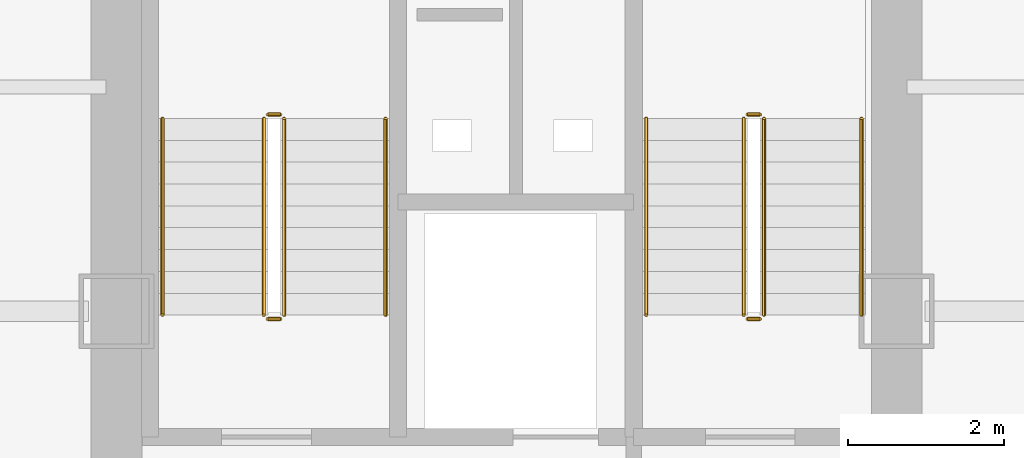
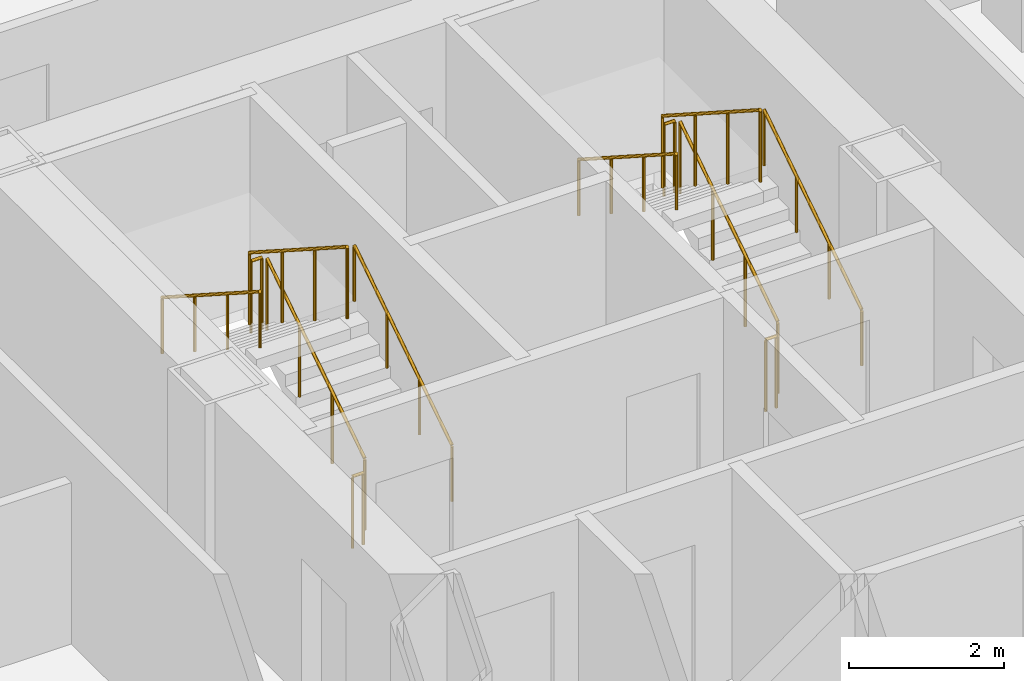
# One storey, part 21 of 22: 12 railings.
"""IFC4 building model written with IfcOpenShell, lengths in metres."""

from ifc_helpers import new_model, si_unit, direction, frame, origin, origin_2d, place, context, subcontext, project, spatial, circle, extrude, material, type_object, element, save


model = new_model("IFC4")

# Units and contexts
model_context = context("Model", 3, precision=1e-05, world=origin(), true_north=direction((0.0, 1.0)))
body_context = subcontext(model_context, "Body", "Model", "MODEL_VIEW")
ifc_project = project(units=[si_unit("LENGTHUNIT", "METRE"), si_unit("AREAUNIT", "SQUARE_METRE"), si_unit("VOLUMEUNIT", "CUBIC_METRE"), si_unit("PLANEANGLEUNIT", "RADIAN"), si_unit("MASSUNIT", "GRAM", prefix="KILO")], contexts=[model_context])

# Site, building, storey
site_placement = place(None, origin())
site = spatial("IfcSite", under=ifc_project, at=site_placement, CompositionType="ELEMENT")
building_placement = place(site_placement, origin())
building = spatial("IfcBuilding", under=site, at=building_placement, Name="Kolveth Station Tower", CompositionType="ELEMENT")
storey_placement = place(building_placement, frame((0.0, 0.0, 69.300048828125)))
storey = spatial("IfcBuildingStorey", under=building, at=storey_placement, Name="L18", CompositionType="ELEMENT", Elevation=69.300048828125)

# Railings
ifc_material_1 = material(Name="Painted Steel S355 balustrade", Category="steel")
railing_type_1 = type_object("IfcRailingType", Name="Guard_GR2", PredefinedType="BALUSTRADE", material=ifc_material_1)
railing_1_placement = place(storey_placement, frame((20.64990234375, 22.949951171875, 0.179931640625)))
element("IfcRailing", 1, at=railing_1_placement, inside=storey, type_object=railing_type_1, Name="L18 ST1 stair guard 1", PredefinedType="BALUSTRADE", context=body_context, shape_type="SweptSolid", body=[
    extrude(circle(Radius=0.02392578125, at=origin_2d()), frame((0.0, 0.0, 1.1259765625), z_axis=(0.0, 0.841162588446, 0.540782303519), x_axis=(-1.0, 0.0, 0.0)), (0.0, 0.0, 1.0), 2.995849609375),
    extrude(circle(Radius=0.02099609375, at=origin_2d()), origin(), (0.0, 0.0, 1.0), 1.101806640625),
    extrude(circle(Radius=0.02099609375, at=origin_2d()), frame((0.0, 0.840087890625, 0.5400390625)), (0.0, 0.0, 1.0), 1.101806640625),
    extrude(circle(Radius=0.02099609375, at=origin_2d()), frame((0.0, 1.679931640625, 1.080078125)), (0.0, 0.0, 1.0), 1.101806640625),
    extrude(circle(Radius=0.02099609375, at=origin_2d()), frame((0.0, 2.52001953125, 1.6201171875)), (0.0, 0.0, 1.0), 1.101806640625),
])
railing_2_placement = place(storey_placement, frame((20.60009765625, 25.52001953125, 1.800048828125)))
element("IfcRailing", 2, at=railing_2_placement, inside=storey, type_object=railing_type_1, Name="L18 ST1 stair guard 2", PredefinedType="BALUSTRADE", context=body_context, shape_type="SweptSolid", body=[
    extrude(circle(Radius=0.02392578125, at=origin_2d()), frame((0.0, 0.0, 1.1259765625), z_axis=(-1.0, 0.0, 0.0), x_axis=(0.0, -1.0, 0.0)), (0.0, 0.0, 1.0), 0.16015625),
    extrude(circle(Radius=0.02099609375, at=origin_2d()), origin(), (0.0, 0.0, 1.0), 1.101806640625),
    extrude(circle(Radius=0.02099609375, at=origin_2d()), frame((-0.16015625, 0.0, 0.0)), (0.0, 0.0, 1.0), 1.101806640625),
])
railing_3_placement = place(storey_placement, frame((20.389892578125, 25.469970703125, 1.97998046875)))
element("IfcRailing", 3, at=railing_3_placement, inside=storey, type_object=railing_type_1, Name="L18 ST1 stair guard 3", PredefinedType="BALUSTRADE", context=body_context, shape_type="SweptSolid", body=[
    extrude(circle(Radius=0.02392578125, at=origin_2d()), frame((0.0, 0.0, 1.1259765625), z_axis=(0.0, -0.841199657755, 0.540724639528), x_axis=(1.0, 0.0, 0.0)), (0.0, 0.0, 1.0), 2.995849609375),
    extrude(circle(Radius=0.02099609375, at=origin_2d()), origin(), (0.0, 0.0, 1.0), 1.101806640625),
    extrude(circle(Radius=0.02099609375, at=origin_2d()), frame((0.0, -0.840087890625, 0.5400390625)), (0.0, 0.0, 1.0), 1.101806640625),
    extrude(circle(Radius=0.02099609375, at=origin_2d()), frame((0.0, -1.679931640625, 1.079833984375)), (0.0, 0.0, 1.0), 1.101806640625),
    extrude(circle(Radius=0.02099609375, at=origin_2d()), frame((0.0, -2.52001953125, 1.619873046875)), (0.0, 0.0, 1.0), 1.101806640625),
])
railing_4_placement = place(storey_placement, frame((20.60009765625, 22.89990234375, 0.0)))
element("IfcRailing", 4, at=railing_4_placement, inside=storey, type_object=railing_type_1, Name="L18 ST1 stair guard 4", PredefinedType="BALUSTRADE", context=body_context, shape_type="SweptSolid", body=[
    extrude(circle(Radius=0.02392578125, at=origin_2d()), frame((0.0, 0.0, 1.1259765625), z_axis=(-1.0, 0.0, 0.0), x_axis=(0.0, -1.0, 0.0)), (0.0, 0.0, 1.0), 0.16015625),
    extrude(circle(Radius=0.02099609375, at=origin_2d()), origin(), (0.0, 0.0, 1.0), 1.101806640625),
    extrude(circle(Radius=0.02099609375, at=origin_2d()), frame((-0.16015625, 0.0, 0.0)), (0.0, 0.0, 1.0), 1.101806640625),
])
railing_5_placement = place(storey_placement, frame((26.800048828125, 22.949951171875, 0.179931640625)))
element("IfcRailing", 5, at=railing_5_placement, inside=storey, type_object=railing_type_1, Name="L18 ST2 stair guard 1", PredefinedType="BALUSTRADE", context=body_context, shape_type="SweptSolid", body=[
    extrude(circle(Radius=0.02392578125, at=origin_2d()), frame((0.0, 0.0, 1.1259765625), z_axis=(0.0, 0.841162588446, 0.540782303519), x_axis=(-1.0, 0.0, 0.0)), (0.0, 0.0, 1.0), 2.995849609375),
    extrude(circle(Radius=0.02099609375, at=origin_2d()), origin(), (0.0, 0.0, 1.0), 1.101806640625),
    extrude(circle(Radius=0.02099609375, at=origin_2d()), frame((0.0, 0.840087890625, 0.5400390625)), (0.0, 0.0, 1.0), 1.101806640625),
    extrude(circle(Radius=0.02099609375, at=origin_2d()), frame((0.0, 1.679931640625, 1.080078125)), (0.0, 0.0, 1.0), 1.101806640625),
    extrude(circle(Radius=0.02099609375, at=origin_2d()), frame((0.0, 2.52001953125, 1.6201171875)), (0.0, 0.0, 1.0), 1.101806640625),
])
railing_6_placement = place(storey_placement, frame((26.75, 25.52001953125, 1.800048828125)))
element("IfcRailing", 6, at=railing_6_placement, inside=storey, type_object=railing_type_1, Name="L18 ST2 stair guard 2", PredefinedType="BALUSTRADE", context=body_context, shape_type="SweptSolid", body=[
    extrude(circle(Radius=0.02392578125, at=origin_2d()), frame((0.0, 0.0, 1.1259765625), z_axis=(-1.0, 0.0, 0.0), x_axis=(0.0, -1.0, 0.0)), (0.0, 0.0, 1.0), 0.159912109375),
    extrude(circle(Radius=0.02099609375, at=origin_2d()), origin(), (0.0, 0.0, 1.0), 1.101806640625),
    extrude(circle(Radius=0.02099609375, at=origin_2d()), frame((-0.159912109375, 0.0, 0.0)), (0.0, 0.0, 1.0), 1.101806640625),
])
railing_7_placement = place(storey_placement, frame((26.5400390625, 25.469970703125, 1.97998046875)))
element("IfcRailing", 7, at=railing_7_placement, inside=storey, type_object=railing_type_1, Name="L18 ST2 stair guard 3", PredefinedType="BALUSTRADE", context=body_context, shape_type="SweptSolid", body=[
    extrude(circle(Radius=0.02392578125, at=origin_2d()), frame((0.0, 0.0, 1.1259765625), z_axis=(0.0, -0.841199657755, 0.540724639528), x_axis=(1.0, 0.0, 0.0)), (0.0, 0.0, 1.0), 2.995849609375),
    extrude(circle(Radius=0.02099609375, at=origin_2d()), origin(), (0.0, 0.0, 1.0), 1.101806640625),
    extrude(circle(Radius=0.02099609375, at=origin_2d()), frame((0.0, -0.840087890625, 0.5400390625)), (0.0, 0.0, 1.0), 1.101806640625),
    extrude(circle(Radius=0.02099609375, at=origin_2d()), frame((0.0, -1.679931640625, 1.079833984375)), (0.0, 0.0, 1.0), 1.101806640625),
    extrude(circle(Radius=0.02099609375, at=origin_2d()), frame((0.0, -2.52001953125, 1.619873046875)), (0.0, 0.0, 1.0), 1.101806640625),
])
railing_8_placement = place(storey_placement, frame((26.75, 22.89990234375, 0.0)))
element("IfcRailing", 8, at=railing_8_placement, inside=storey, type_object=railing_type_1, Name="L18 ST2 stair guard 4", PredefinedType="BALUSTRADE", context=body_context, shape_type="SweptSolid", body=[
    extrude(circle(Radius=0.02392578125, at=origin_2d()), frame((0.0, 0.0, 1.1259765625), z_axis=(-1.0, 0.0, 0.0), x_axis=(0.0, -1.0, 0.0)), (0.0, 0.0, 1.0), 0.159912109375),
    extrude(circle(Radius=0.02099609375, at=origin_2d()), origin(), (0.0, 0.0, 1.0), 1.101806640625),
    extrude(circle(Radius=0.02099609375, at=origin_2d()), frame((-0.159912109375, 0.0, 0.0)), (0.0, 0.0, 1.0), 1.101806640625),
])
ifc_material_2 = material(Name="Brushed stainless steel", Category="steel")
railing_type_2 = type_object("IfcRailingType", Name="Handrail_HR1", PredefinedType="HANDRAIL", material=ifc_material_2)
railing_9_placement = place(storey_placement, frame((21.949951171875, 22.949951171875, 0.179931640625)))
element("IfcRailing", 9, at=railing_9_placement, inside=storey, type_object=railing_type_2, Name="L18 ST1 stair handrail 1", PredefinedType="HANDRAIL", context=body_context, shape_type="SweptSolid", body=[
    extrude(circle(Radius=0.02392578125, at=origin_2d()), frame((0.0, 0.0, 0.8759765625), z_axis=(0.0, 0.841162588446, 0.540782303519), x_axis=(-1.0, 0.0, 0.0)), (0.0, 0.0, 1.0), 2.995849609375),
    extrude(circle(Radius=0.02099609375, at=origin_2d()), origin(), (0.0, 0.0, 1.0), 0.851806640625),
    extrude(circle(Radius=0.02099609375, at=origin_2d()), frame((0.0, 0.840087890625, 0.5400390625)), (0.0, 0.0, 1.0), 0.851806640625),
    extrude(circle(Radius=0.02099609375, at=origin_2d()), frame((0.0, 1.679931640625, 1.080078125)), (0.0, 0.0, 1.0), 0.851806640625),
    extrude(circle(Radius=0.02099609375, at=origin_2d()), frame((0.0, 2.52001953125, 1.6201171875)), (0.0, 0.0, 1.0), 0.851806640625),
])
railing_10_placement = place(storey_placement, frame((19.090087890625, 25.469970703125, 1.97998046875)))
element("IfcRailing", 10, at=railing_10_placement, inside=storey, type_object=railing_type_2, Name="L18 ST1 stair handrail 2", PredefinedType="HANDRAIL", context=body_context, shape_type="SweptSolid", body=[
    extrude(circle(Radius=0.02392578125, at=origin_2d()), frame((0.0, 0.0, 0.8759765625), z_axis=(0.0, -0.841199657755, 0.540724639528), x_axis=(1.0, 0.0, 0.0)), (0.0, 0.0, 1.0), 2.995849609375),
    extrude(circle(Radius=0.02099609375, at=origin_2d()), origin(), (0.0, 0.0, 1.0), 0.851806640625),
    extrude(circle(Radius=0.02099609375, at=origin_2d()), frame((0.0, -0.840087890625, 0.5400390625)), (0.0, 0.0, 1.0), 0.851806640625),
    extrude(circle(Radius=0.02099609375, at=origin_2d()), frame((0.0, -1.679931640625, 1.079833984375)), (0.0, 0.0, 1.0), 0.851806640625),
    extrude(circle(Radius=0.02099609375, at=origin_2d()), frame((0.0, -2.52001953125, 1.619873046875)), (0.0, 0.0, 1.0), 0.851806640625),
])
railing_11_placement = place(storey_placement, frame((28.050048828125, 22.949951171875, 0.179931640625)))
element("IfcRailing", 11, at=railing_11_placement, inside=storey, type_object=railing_type_2, Name="L18 ST2 stair handrail 1", PredefinedType="HANDRAIL", context=body_context, shape_type="SweptSolid", body=[
    extrude(circle(Radius=0.02392578125, at=origin_2d()), frame((0.0, 0.0, 0.8759765625), z_axis=(0.0, 0.841162588446, 0.540782303519), x_axis=(-1.0, 0.0, 0.0)), (0.0, 0.0, 1.0), 2.995849609375),
    extrude(circle(Radius=0.02099609375, at=origin_2d()), origin(), (0.0, 0.0, 1.0), 0.851806640625),
    extrude(circle(Radius=0.02099609375, at=origin_2d()), frame((0.0, 0.840087890625, 0.5400390625)), (0.0, 0.0, 1.0), 0.851806640625),
    extrude(circle(Radius=0.02099609375, at=origin_2d()), frame((0.0, 1.679931640625, 1.080078125)), (0.0, 0.0, 1.0), 0.851806640625),
    extrude(circle(Radius=0.02099609375, at=origin_2d()), frame((0.0, 2.52001953125, 1.6201171875)), (0.0, 0.0, 1.0), 0.851806640625),
])
railing_12_placement = place(storey_placement, frame((25.2900390625, 25.469970703125, 1.97998046875)))
element("IfcRailing", 12, at=railing_12_placement, inside=storey, type_object=railing_type_2, Name="L18 ST2 stair handrail 2", PredefinedType="HANDRAIL", context=body_context, shape_type="SweptSolid", body=[
    extrude(circle(Radius=0.02392578125, at=origin_2d()), frame((0.0, 0.0, 0.8759765625), z_axis=(0.0, -0.841199657755, 0.540724639528), x_axis=(1.0, 0.0, 0.0)), (0.0, 0.0, 1.0), 2.995849609375),
    extrude(circle(Radius=0.02099609375, at=origin_2d()), origin(), (0.0, 0.0, 1.0), 0.851806640625),
    extrude(circle(Radius=0.02099609375, at=origin_2d()), frame((0.0, -0.840087890625, 0.5400390625)), (0.0, 0.0, 1.0), 0.851806640625),
    extrude(circle(Radius=0.02099609375, at=origin_2d()), frame((0.0, -1.679931640625, 1.079833984375)), (0.0, 0.0, 1.0), 0.851806640625),
    extrude(circle(Radius=0.02099609375, at=origin_2d()), frame((0.0, -2.52001953125, 1.619873046875)), (0.0, 0.0, 1.0), 0.851806640625),
])

save(model, "model.ifc")
